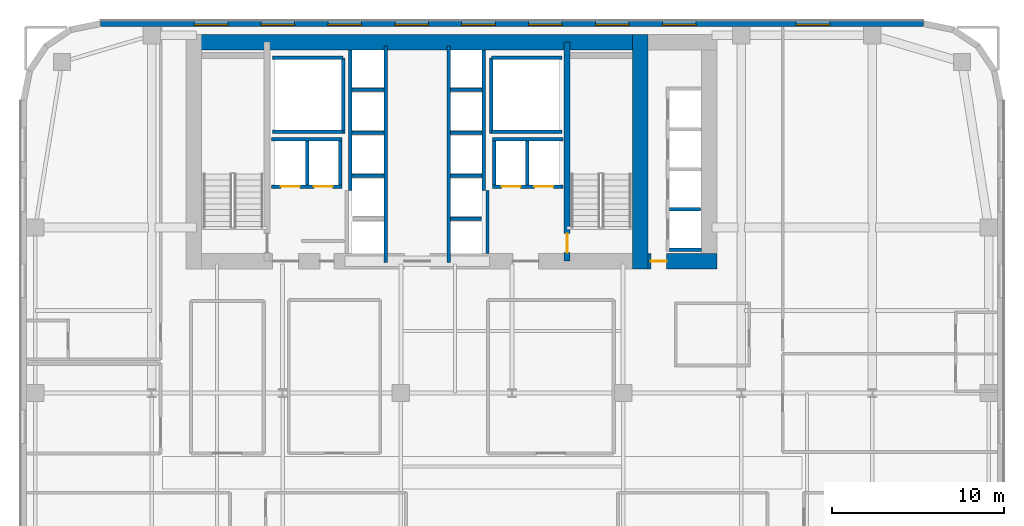
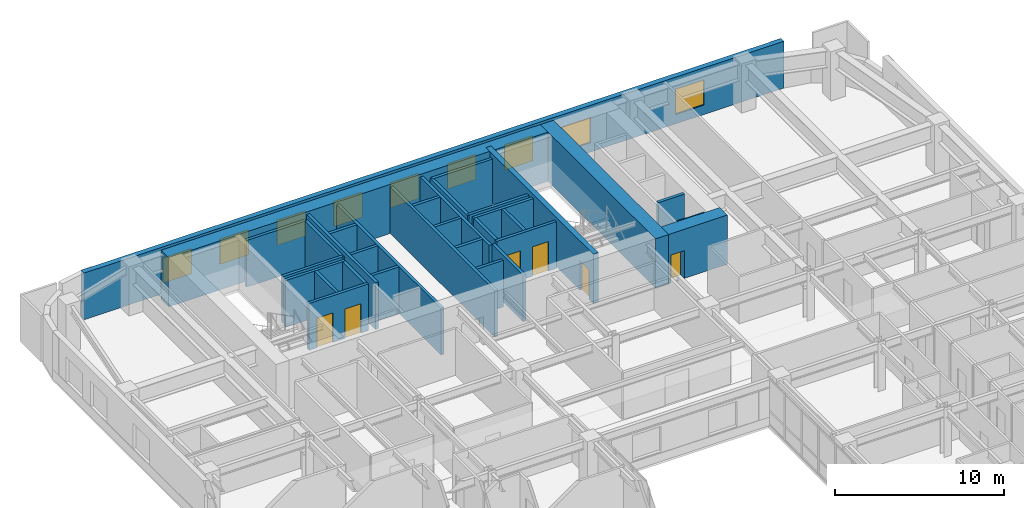
# One storey, part 18 of 24: 33 walls, 9 windows, 6 doors, 15 openings.
"""IFC4 building model written with IfcOpenShell, lengths in metres."""

from ifc_helpers import new_model, si_unit, direction, frame, frame_2d, origin, place, context, subcontext, project, spatial, rectangle, extrude, source, transform, mapped, material, layer, layer_set, type_object, type_shapes, element, fill, save


model = new_model("IFC4")

# Units and contexts
model_context = context("Model", 3, precision=1e-05, world=origin(), true_north=direction((0.0, 1.0)))
body_context = subcontext(model_context, "Body", "Model", "MODEL_VIEW")
ifc_project = project(units=[si_unit("LENGTHUNIT", "METRE"), si_unit("AREAUNIT", "SQUARE_METRE"), si_unit("VOLUMEUNIT", "CUBIC_METRE"), si_unit("PLANEANGLEUNIT", "RADIAN"), si_unit("MASSUNIT", "GRAM", prefix="KILO")], contexts=[model_context])

# Site, building, storey
site_placement = place(None, origin())
site = spatial("IfcSite", under=ifc_project, at=site_placement, CompositionType="ELEMENT")
building_placement = place(site_placement, origin())
building = spatial("IfcBuilding", under=site, at=building_placement, Name="Tolvann Quenvar Hotel", CompositionType="ELEMENT")
storey_placement = place(building_placement, frame((0.0, 0.0, 67.5)))
storey = spatial("IfcBuildingStorey", under=building, at=storey_placement, Name="L16", CompositionType="ELEMENT", Elevation=67.5)

# Walls
ifc_material_1 = material(Name="Concrete S80 (80 MPa)", Category="concrete")
ifc_layer_1 = layer(ifc_material_1, 0.89990234375)
ifc_layer_set_1 = layer_set([ifc_layer_1], Name="Concrete S80 (80 MPa)")
wall_type_1 = type_object("IfcWallType", Name="WALL_CORE_900", PredefinedType="SHEAR", material=ifc_layer_set_1)
wall_1_placement = place(storey_placement, frame((9.60009765625, 44.75, 0.0), z_axis=(0.0, 0.0, 1.0), x_axis=(1.0, 0.0, 0.0)))
element("IfcWall", 1, at=wall_1_placement, inside=storey, type_object=wall_type_1, Name="Rear Core N Shear Wall (L16)", PredefinedType="SHEAR", context=body_context, shape_type="SweptSolid", body=[
    extrude(rectangle(XDim=26.7998046875, YDim=0.89990234375, at=frame_2d((13.39990234375, 0.0))), origin(), (0.0, 0.0, 1.0), 3.550048828125),
])
wall_2_placement = place(storey_placement, frame((35.949951171875, 31.60009765625, 0.0), z_axis=(0.0, 0.0, 1.0), x_axis=(0.0, 1.0, 0.0)))
element("IfcWall", 2, at=wall_2_placement, inside=storey, type_object=wall_type_1, Name="Rear Core E Shear Wall (L16)", PredefinedType="SHEAR", context=body_context, shape_type="SweptSolid", body=[
    extrude(rectangle(XDim=13.599853515625, YDim=0.89990234375, at=frame_2d((6.7998046875, 0.0))), origin(), (0.0, 0.0, 1.0), 3.550048828125),
])

# Wall, opening, door
wall_3_placement = place(storey_placement, frame((36.39990234375, 32.050048828125, 0.0), z_axis=(0.0, 0.0, 1.0), x_axis=(1.0, 0.0, 0.0)))
wall_3 = element("IfcWall", 3, at=wall_3_placement, inside=storey, type_object=wall_type_1, Name="Core East Annex Shear Wall ANN-S (L16)", PredefinedType="SHEAR", context=body_context, shape_type="SweptSolid", body=[
    extrude(rectangle(XDim=4.0, YDim=0.89990234375, at=frame_2d((2.0, 0.0))), origin(), (0.0, 0.0, 1.0), 3.550048828125),
])
opening_1_placement = place(wall_3_placement, frame((1.06982421875, 0.0, 0.0), z_axis=(0.0, 0.0, 1.0), x_axis=(-1.0, 0.0, 0.0)))
opening_1 = element("IfcOpeningElement", 4, at=opening_1_placement, cuts=wall_3, Name="Opening WD-01", PredefinedType="OPENING", context=body_context, shape_type="SweptSolid", body=[
    extrude(rectangle(XDim=0.919921875, YDim=2.010009765625, at=frame_2d((0.4599609375, 1.0048828125))), frame((0.0, 0.4599609375, 0.0), z_axis=(0.0, -1.0, 0.0), x_axis=(1.0, 0.0, 0.0)), (0.0, 0.0, 1.0), 0.919921875),
])
ifc_material_2 = material(Name="Solid-core American oak acoustic fire door leaf in steel frame", Category="steel")
door_type_1 = type_object("IfcDoorType", Name="DOOR_WC_920", OperationType="NOTDEFINED", PredefinedType="DOOR", material=ifc_material_2)
shared_shape_1 = source(origin(), body_context, "Body", "SweptSolid", [
    extrude(rectangle(XDim=0.919921875, YDim=2.010009765625, at=frame_2d((0.4599609375, 1.0048828125))), frame((0.0, 0.02490234375, 0.0), z_axis=(0.0, -1.0, 0.0), x_axis=(1.0, 0.0, 0.0)), (0.0, 0.0, 1.0), 0.050048828125),
])
type_shapes(door_type_1, [shared_shape_1])
door_1_placement = place(opening_1_placement, origin())
door_1 = element("IfcDoor", 5, at=door_1_placement, inside=storey, type_object=door_type_1, Name="Low-Rise Lift Lobby Fire Door (L16)", OperationType="SINGLE_SWING_RIGHT", OverallHeight=2.010009765625, OverallWidth=0.919921875, PredefinedType="DOOR", context=body_context, shape_type="MappedRepresentation", body=[
    mapped(shared_shape_1, transform((0.0, 0.0, 0.0), x_axis=(1.0, 0.0, 0.0), y_axis=(0.0, 1.0, 0.0), z_axis=(0.0, 0.0, 1.0), scale=1.0)),
])
fill(opening_1, door_1)

ifc_material_3 = material(Name="Concrete S65 (65 MPa)", Category="concrete")
ifc_layer_2 = layer(ifc_material_3, 0.35009765625)
ifc_layer_set_2 = layer_set([ifc_layer_2], Name="Concrete S65 (65 MPa)")
wall_type_2 = type_object("IfcWallType", Name="WALL_CORE_INT_350", PredefinedType="SHEAR", material=ifc_layer_set_2)
wall_4_placement = place(storey_placement, frame((31.699951171875, 32.050048828125, 0.0), z_axis=(0.0, 0.0, 1.0), x_axis=(0.0, 1.0, 0.0)))
wall_4 = element("IfcWall", 6, at=wall_4_placement, inside=storey, type_object=wall_type_2, Name="Core Internal Web Shear Wall WEB-E (L16)", PredefinedType="SHEAR", context=body_context, shape_type="SweptSolid", body=[
    extrude(rectangle(XDim=12.699951171875, YDim=0.35009765625, at=frame_2d((6.35009765625, 0.0))), origin(), (0.0, 0.0, 1.0), 3.550048828125),
])
opening_2_placement = place(wall_4_placement, frame((1.60009765625, 0.0, 0.0), z_axis=(0.0, 0.0, 1.0), x_axis=(-1.0, 0.0, 0.0)))
opening_2 = element("IfcOpeningElement", 7, at=opening_2_placement, cuts=wall_4, Name="Opening FD-120", PredefinedType="OPENING", context=body_context, shape_type="SweptSolid", body=[
    extrude(rectangle(XDim=1.10009765625, YDim=2.1201171875, at=frame_2d((0.550048828125, 1.06005859375))), frame((0.0, 0.18505859375, 0.0), z_axis=(0.0, -1.0, 0.0), x_axis=(1.0, 0.0, 0.0)), (0.0, 0.0, 1.0), 0.3701171875),
])
ifc_material_4 = material(Name="Pressed galvanised steel fire-rated door set", Category="steel")
door_type_2 = type_object("IfcDoorType", Name="DOOR_FIRE_STAIR_1100", OperationType="NOTDEFINED", PredefinedType="DOOR", material=ifc_material_4)
shared_shape_2 = source(origin(), body_context, "Body", "SweptSolid", [
    extrude(rectangle(XDim=1.10009765625, YDim=2.1201171875, at=frame_2d((0.550048828125, 1.06005859375))), frame((0.0, 0.02490234375, 0.0), z_axis=(0.0, -1.0, 0.0), x_axis=(1.0, 0.0, 0.0)), (0.0, 0.0, 1.0), 0.050048828125),
])
type_shapes(door_type_2, [shared_shape_2])
door_2_placement = place(opening_2_placement, origin())
door_2 = element("IfcDoor", 8, at=door_2_placement, inside=storey, type_object=door_type_2, Name="Exit Stair ST-C2 Fire Door (L16)", OperationType="SINGLE_SWING_LEFT", OverallHeight=2.1201171875, OverallWidth=1.10009765625, PredefinedType="DOOR", context=body_context, shape_type="MappedRepresentation", body=[
    mapped(shared_shape_2, transform((0.0, 0.0, 0.0), x_axis=(1.0, 0.0, 0.0), y_axis=(0.0, 1.0, 0.0), z_axis=(0.0, 0.0, 1.0), scale=1.0)),
])
fill(opening_2, door_2)

# Wall, openings, windows
ifc_material_5 = material(Name="Kiln-fired red and buff architectural clay brickwork and terracotta masonry", Category="masonry")
ifc_layer_3 = layer(ifc_material_5, 0.35009765625)
ifc_layer_set_3 = layer_set([ifc_layer_3], Name="Kiln-fired red and buff architectural clay brickwork and terracotta masonry")
wall_type_3 = type_object("IfcWallType", Name="WALL_EXT_BRICK_350", PredefinedType="SOLIDWALL", material=ifc_layer_set_3)
wall_5_placement = place(storey_placement, frame((52.3828125, 45.824951171875, 0.0), z_axis=(0.0, 0.0, 1.0), x_axis=(-1.0, 0.0, 0.0)))
wall_5 = element("IfcWall", 9, at=wall_5_placement, inside=storey, type_object=wall_type_3, Name="Exterior Chicago Brick Wall L16-E18", PredefinedType="SOLIDWALL", context=body_context, shape_type="SweptSolid", body=[
    extrude(rectangle(XDim=47.765625, YDim=0.35009765625, at=frame_2d((23.8828125, 0.0))), origin(), (0.0, 0.0, 1.0), 3.3701171875),
])
opening_3_placement = place(wall_5_placement, frame((5.446044921875, 0.0, 0.679931640625)))
opening_3 = element("IfcOpeningElement", 10, at=opening_3_placement, cuts=wall_5, Name="Opening W-10", PredefinedType="OPENING", context=body_context, shape_type="SweptSolid", body=[
    extrude(rectangle(XDim=1.949951171875, YDim=1.820068359375, at=frame_2d((0.97509765625, 0.91015625))), frame((0.0, 0.18505859375, 0.0), z_axis=(0.0, -1.0, 0.0), x_axis=(1.0, 0.0, 0.0)), (0.0, 0.0, 1.0), 0.3701171875),
])
opening_4_placement = place(wall_5_placement, frame((13.20703125, 0.0, 0.679931640625)))
opening_4 = element("IfcOpeningElement", 11, at=opening_4_placement, cuts=wall_5, Name="Opening W-10", PredefinedType="OPENING", context=body_context, shape_type="SweptSolid", body=[
    extrude(rectangle(XDim=1.949951171875, YDim=1.820068359375, at=frame_2d((0.97509765625, 0.91015625))), frame((0.0, 0.18505859375, 0.0), z_axis=(0.0, -1.0, 0.0), x_axis=(1.0, 0.0, 0.0)), (0.0, 0.0, 1.0), 0.3701171875),
])
opening_5_placement = place(wall_5_placement, frame((17.0869140625, 0.0, 0.679931640625)))
opening_5 = element("IfcOpeningElement", 12, at=opening_5_placement, cuts=wall_5, Name="Opening W-10", PredefinedType="OPENING", context=body_context, shape_type="SweptSolid", body=[
    extrude(rectangle(XDim=1.949951171875, YDim=1.820068359375, at=frame_2d((0.97509765625, 0.91015625))), frame((0.0, 0.18505859375, 0.0), z_axis=(0.0, -1.0, 0.0), x_axis=(1.0, 0.0, 0.0)), (0.0, 0.0, 1.0), 0.3701171875),
])
opening_6_placement = place(wall_5_placement, frame((20.968017578125, 0.0, 0.679931640625)))
opening_6 = element("IfcOpeningElement", 13, at=opening_6_placement, cuts=wall_5, Name="Opening W-10", PredefinedType="OPENING", context=body_context, shape_type="SweptSolid", body=[
    extrude(rectangle(XDim=1.949951171875, YDim=1.820068359375, at=frame_2d((0.97509765625, 0.91015625))), frame((0.0, 0.18505859375, 0.0), z_axis=(0.0, -1.0, 0.0), x_axis=(1.0, 0.0, 0.0)), (0.0, 0.0, 1.0), 0.3701171875),
])
opening_7_placement = place(wall_5_placement, frame((24.847900390625, 0.0, 0.679931640625)))
opening_7 = element("IfcOpeningElement", 14, at=opening_7_placement, cuts=wall_5, Name="Opening W-10", PredefinedType="OPENING", context=body_context, shape_type="SweptSolid", body=[
    extrude(rectangle(XDim=1.949951171875, YDim=1.820068359375, at=frame_2d((0.97509765625, 0.91015625))), frame((0.0, 0.18505859375, 0.0), z_axis=(0.0, -1.0, 0.0), x_axis=(1.0, 0.0, 0.0)), (0.0, 0.0, 1.0), 0.3701171875),
])
opening_8_placement = place(wall_5_placement, frame((28.72900390625, 0.0, 0.679931640625)))
opening_8 = element("IfcOpeningElement", 15, at=opening_8_placement, cuts=wall_5, Name="Opening W-10", PredefinedType="OPENING", context=body_context, shape_type="SweptSolid", body=[
    extrude(rectangle(XDim=1.949951171875, YDim=1.820068359375, at=frame_2d((0.97509765625, 0.91015625))), frame((0.0, 0.18505859375, 0.0), z_axis=(0.0, -1.0, 0.0), x_axis=(1.0, 0.0, 0.0)), (0.0, 0.0, 1.0), 0.3701171875),
])
opening_9_placement = place(wall_5_placement, frame((32.60888671875, 0.0, 0.679931640625)))
opening_9 = element("IfcOpeningElement", 16, at=opening_9_placement, cuts=wall_5, Name="Opening W-10", PredefinedType="OPENING", context=body_context, shape_type="SweptSolid", body=[
    extrude(rectangle(XDim=1.949951171875, YDim=1.820068359375, at=frame_2d((0.97509765625, 0.91015625))), frame((0.0, 0.18505859375, 0.0), z_axis=(0.0, -1.0, 0.0), x_axis=(1.0, 0.0, 0.0)), (0.0, 0.0, 1.0), 0.3701171875),
])
opening_10_placement = place(wall_5_placement, frame((36.489013671875, 0.0, 0.679931640625)))
opening_10 = element("IfcOpeningElement", 17, at=opening_10_placement, cuts=wall_5, Name="Opening W-10", PredefinedType="OPENING", context=body_context, shape_type="SweptSolid", body=[
    extrude(rectangle(XDim=1.949951171875, YDim=1.820068359375, at=frame_2d((0.97509765625, 0.91015625))), frame((0.0, 0.18505859375, 0.0), z_axis=(0.0, -1.0, 0.0), x_axis=(1.0, 0.0, 0.0)), (0.0, 0.0, 1.0), 0.3701171875),
])
opening_11_placement = place(wall_5_placement, frame((40.3701171875, 0.0, 0.679931640625)))
opening_11 = element("IfcOpeningElement", 18, at=opening_11_placement, cuts=wall_5, Name="Opening W-10", PredefinedType="OPENING", context=body_context, shape_type="SweptSolid", body=[
    extrude(rectangle(XDim=1.949951171875, YDim=1.820068359375, at=frame_2d((0.97509765625, 0.91015625))), frame((0.0, 0.18505859375, 0.0), z_axis=(0.0, -1.0, 0.0), x_axis=(1.0, 0.0, 0.0)), (0.0, 0.0, 1.0), 0.3701171875),
])
ifc_material_6 = material(Name="Thermally broken bronze-anodised aluminium frame with double low-E glazing", Category="aluminium")
window_type = type_object("IfcWindowType", Name="WIN_CLB_1950x1850", PartitioningType="DOUBLE_PANEL_VERTICAL", PredefinedType="WINDOW", material=ifc_material_6)
shared_shape_3 = source(origin(), body_context, "Body", "SweptSolid", [
    extrude(rectangle(XDim=1.949951171875, YDim=1.820068359375, at=frame_2d((0.97509765625, 0.91015625))), frame((0.0, 0.090087890625, 0.0), z_axis=(0.0, -1.0, 0.0), x_axis=(1.0, 0.0, 0.0)), (0.0, 0.0, 1.0), 0.06005859375),
])
type_shapes(window_type, [shared_shape_3])
window_1_placement = place(opening_3_placement, origin())
window_1 = element("IfcWindow", 19, at=window_1_placement, inside=storey, type_object=window_type, Name="Chicago Window W-10 (EW-L16-E18-W01)", OverallHeight=1.820068359375, OverallWidth=1.949951171875, PartitioningType="DOUBLE_PANEL_VERTICAL", PredefinedType="WINDOW", context=body_context, shape_type="MappedRepresentation", body=[
    mapped(shared_shape_3, transform((0.0, 0.0, 0.0), x_axis=(1.0, 0.0, 0.0), y_axis=(0.0, 1.0, 0.0), z_axis=(0.0, 0.0, 1.0), scale=1.0)),
])
fill(opening_3, window_1)
window_2_placement = place(opening_4_placement, origin())
window_2 = element("IfcWindow", 20, at=window_2_placement, inside=storey, type_object=window_type, Name="Chicago Window W-10 (EW-L16-E18-W02)", OverallHeight=1.820068359375, OverallWidth=1.949951171875, PartitioningType="DOUBLE_PANEL_VERTICAL", PredefinedType="WINDOW", context=body_context, shape_type="MappedRepresentation", body=[
    mapped(shared_shape_3, transform((0.0, 0.0, 0.0), x_axis=(1.0, 0.0, 0.0), y_axis=(0.0, 1.0, 0.0), z_axis=(0.0, 0.0, 1.0), scale=1.0)),
])
fill(opening_4, window_2)
window_3_placement = place(opening_5_placement, origin())
window_3 = element("IfcWindow", 21, at=window_3_placement, inside=storey, type_object=window_type, Name="Chicago Window W-10 (EW-L16-E18-W03)", OverallHeight=1.820068359375, OverallWidth=1.949951171875, PartitioningType="DOUBLE_PANEL_VERTICAL", PredefinedType="WINDOW", context=body_context, shape_type="MappedRepresentation", body=[
    mapped(shared_shape_3, transform((0.0, 0.0, 0.0), x_axis=(1.0, 0.0, 0.0), y_axis=(0.0, 1.0, 0.0), z_axis=(0.0, 0.0, 1.0), scale=1.0)),
])
fill(opening_5, window_3)
window_4_placement = place(opening_6_placement, origin())
window_4 = element("IfcWindow", 22, at=window_4_placement, inside=storey, type_object=window_type, Name="Chicago Window W-10 (EW-L16-E18-W04)", OverallHeight=1.820068359375, OverallWidth=1.949951171875, PartitioningType="DOUBLE_PANEL_VERTICAL", PredefinedType="WINDOW", context=body_context, shape_type="MappedRepresentation", body=[
    mapped(shared_shape_3, transform((0.0, 0.0, 0.0), x_axis=(1.0, 0.0, 0.0), y_axis=(0.0, 1.0, 0.0), z_axis=(0.0, 0.0, 1.0), scale=1.0)),
])
fill(opening_6, window_4)
window_5_placement = place(opening_7_placement, origin())
window_5 = element("IfcWindow", 23, at=window_5_placement, inside=storey, type_object=window_type, Name="Chicago Window W-10 (EW-L16-E18-W05)", OverallHeight=1.820068359375, OverallWidth=1.949951171875, PartitioningType="DOUBLE_PANEL_VERTICAL", PredefinedType="WINDOW", context=body_context, shape_type="MappedRepresentation", body=[
    mapped(shared_shape_3, transform((0.0, 0.0, 0.0), x_axis=(1.0, 0.0, 0.0), y_axis=(0.0, 1.0, 0.0), z_axis=(0.0, 0.0, 1.0), scale=1.0)),
])
fill(opening_7, window_5)
window_6_placement = place(opening_8_placement, origin())
window_6 = element("IfcWindow", 24, at=window_6_placement, inside=storey, type_object=window_type, Name="Chicago Window W-10 (EW-L16-E18-W06)", OverallHeight=1.820068359375, OverallWidth=1.949951171875, PartitioningType="DOUBLE_PANEL_VERTICAL", PredefinedType="WINDOW", context=body_context, shape_type="MappedRepresentation", body=[
    mapped(shared_shape_3, transform((0.0, 0.0, 0.0), x_axis=(1.0, 0.0, 0.0), y_axis=(0.0, 1.0, 0.0), z_axis=(0.0, 0.0, 1.0), scale=1.0)),
])
fill(opening_8, window_6)
window_7_placement = place(opening_9_placement, origin())
window_7 = element("IfcWindow", 25, at=window_7_placement, inside=storey, type_object=window_type, Name="Chicago Window W-10 (EW-L16-E18-W07)", OverallHeight=1.820068359375, OverallWidth=1.949951171875, PartitioningType="DOUBLE_PANEL_VERTICAL", PredefinedType="WINDOW", context=body_context, shape_type="MappedRepresentation", body=[
    mapped(shared_shape_3, transform((0.0, 0.0, 0.0), x_axis=(1.0, 0.0, 0.0), y_axis=(0.0, 1.0, 0.0), z_axis=(0.0, 0.0, 1.0), scale=1.0)),
])
fill(opening_9, window_7)
window_8_placement = place(opening_10_placement, origin())
window_8 = element("IfcWindow", 26, at=window_8_placement, inside=storey, type_object=window_type, Name="Chicago Window W-10 (EW-L16-E18-W08)", OverallHeight=1.820068359375, OverallWidth=1.949951171875, PartitioningType="DOUBLE_PANEL_VERTICAL", PredefinedType="WINDOW", context=body_context, shape_type="MappedRepresentation", body=[
    mapped(shared_shape_3, transform((0.0, 0.0, 0.0), x_axis=(1.0, 0.0, 0.0), y_axis=(0.0, 1.0, 0.0), z_axis=(0.0, 0.0, 1.0), scale=1.0)),
])
fill(opening_10, window_8)
window_9_placement = place(opening_11_placement, origin())
window_9 = element("IfcWindow", 27, at=window_9_placement, inside=storey, type_object=window_type, Name="Chicago Window W-10 (EW-L16-E18-W09)", OverallHeight=1.820068359375, OverallWidth=1.949951171875, PartitioningType="DOUBLE_PANEL_VERTICAL", PredefinedType="WINDOW", context=body_context, shape_type="MappedRepresentation", body=[
    mapped(shared_shape_3, transform((0.0, 0.0, 0.0), x_axis=(1.0, 0.0, 0.0), y_axis=(0.0, 1.0, 0.0), z_axis=(0.0, 0.0, 1.0), scale=1.0)),
])
fill(opening_11, window_9)

# Walls
ifc_material_7 = material(Name="Concrete N40 (40 MPa)", Category="concrete")
ifc_layer_4 = layer(ifc_material_7, 0.199951171875)
ifc_layer_set_4 = layer_set([ifc_layer_4], Name="Concrete N40 (40 MPa)")
wall_type_4 = type_object("IfcWallType", Name="WALL_SHAFT_200", PredefinedType="SOLIDWALL", material=ifc_layer_set_4)
wall_6_placement = place(storey_placement, frame((18.699951171875, 39.449951171875, 0.0), z_axis=(0.0, 0.0, 1.0), x_axis=(0.0, 1.0, 0.0)))
element("IfcWall", 28, at=wall_6_placement, inside=storey, type_object=wall_type_4, Name="Service Riser W Shaft Wall IN (L16)", PredefinedType="SOLIDWALL", context=body_context, shape_type="SweptSolid", body=[
    extrude(rectangle(XDim=4.400146484375, YDim=0.199951171875, at=frame_2d((2.2001953125, 0.0))), origin(), (0.0, 0.0, 1.0), 3.3701171875),
])
for number, where, z_axis, x_axis, name in (
    (29, (14.60009765625, 39.550048828125, 0.0), (0.0, 0.0, 1.0), (1.0, 0.0, 0.0), "Service Riser W Shaft Wall S (L16)"),
    (30, (14.60009765625, 43.85009765625, 0.0), (0.0, 0.0, 1.0), (1.0, 0.0, 0.0), "Service Riser W Shaft Wall N (L16)"),
):
    element("IfcWall", number, at=place(storey_placement, frame(where, z_axis=z_axis, x_axis=x_axis)), inside=storey, type_object=wall_type_4, Name=name, PredefinedType="SOLIDWALL", context=body_context, shape_type="SweptSolid", body=[
        extrude(rectangle(XDim=4.099853515625, YDim=0.199951171875, at=frame_2d((2.0498046875, 0.0))), origin(), (0.0, 0.0, 1.0), 3.3701171875),
    ])
wall_7_placement = place(storey_placement, frame((27.300048828125, 39.449951171875, 0.0), z_axis=(0.0, 0.0, 1.0), x_axis=(0.0, 1.0, 0.0)))
element("IfcWall", 31, at=wall_7_placement, inside=storey, type_object=wall_type_4, Name="Service Riser E Shaft Wall IN (L16)", PredefinedType="SOLIDWALL", context=body_context, shape_type="SweptSolid", body=[
    extrude(rectangle(XDim=4.400146484375, YDim=0.199951171875, at=frame_2d((2.2001953125, 0.0))), origin(), (0.0, 0.0, 1.0), 3.3701171875),
])
for number, where, z_axis, x_axis, name in (
    (32, (27.300048828125, 39.550048828125, 0.0), (0.0, 0.0, 1.0), (1.0, 0.0, 0.0), "Service Riser E Shaft Wall S (L16)"),
    (33, (27.300048828125, 43.85009765625, 0.0), (0.0, 0.0, 1.0), (1.0, 0.0, 0.0), "Service Riser E Shaft Wall N (L16)"),
):
    element("IfcWall", number, at=place(storey_placement, frame(where, z_axis=z_axis, x_axis=x_axis)), inside=storey, type_object=wall_type_4, Name=name, PredefinedType="SOLIDWALL", context=body_context, shape_type="SweptSolid", body=[
        extrude(rectangle(XDim=4.099853515625, YDim=0.199951171875, at=frame_2d((2.0498046875, 0.0))), origin(), (0.0, 0.0, 1.0), 3.3701171875),
    ])
wall_8_placement = place(storey_placement, frame((27.080078125, 32.50390625, 0.0), z_axis=(0.0, 0.0, 1.0), x_axis=(0.0, 1.0, 0.0)))
element("IfcWall", 34, at=wall_8_placement, inside=storey, type_object=wall_type_4, Name="Firefighting Lobby E Inner Fire Wall (L16)", PredefinedType="SOLIDWALL", context=body_context, shape_type="SweptSolid", body=[
    extrude(rectangle(XDim=3.64599609375, YDim=0.199951171875, at=frame_2d((1.822998046875, 0.0))), origin(), (0.0, 0.0, 1.0), 3.3701171875),
])
wall_9_placement = place(storey_placement, frame((21.169921875, 31.9599609375, 0.0), z_axis=(0.0, 0.0, 1.0), x_axis=(0.0, 1.0, 0.0)))
element("IfcWall", 35, at=wall_9_placement, inside=storey, type_object=wall_type_4, Name="Lift Bank E21.1C1 Hoistway Front Wall (L16)", PredefinedType="SOLIDWALL", context=body_context, shape_type="SweptSolid", body=[
    extrude(rectangle(XDim=12.580078125, YDim=0.199951171875, at=frame_2d((6.2900390625, 0.0))), origin(), (0.0, 0.0, 1.0), 3.3701171875),
])
wall_10_placement = place(storey_placement, frame((19.1298828125, 36.159912109375, 0.0), z_axis=(0.0, 0.0, 1.0), x_axis=(0.0, 1.0, 0.0)))
element("IfcWall", 36, at=wall_10_placement, inside=storey, type_object=wall_type_4, Name="Lift Bank E21.1C1 Hoistway Rear Wall (L16)", PredefinedType="SOLIDWALL", context=body_context, shape_type="SweptSolid", body=[
    extrude(rectangle(XDim=8.135986328125, YDim=0.199951171875, at=frame_2d((4.06787109375, 0.0))), origin(), (0.0, 0.0, 1.0), 3.3701171875),
])
for number, where, z_axis, x_axis, name in (
    (37, (19.22998046875, 37.0, 0.0), (0.0, 0.0, 1.0), (1.0, 0.0, 0.0), "Lift Bank E21.1C1 Divider Wall 2 (L16)"),
    (38, (19.22998046875, 39.5, 0.0), (0.0, 0.0, 1.0), (1.0, 0.0, 0.0), "Lift Bank E21.1C1 Divider Wall 3 (L16)"),
    (39, (19.22998046875, 42.0, 0.0), (0.0, 0.0, 1.0), (1.0, 0.0, 0.0), "Lift Bank E21.1C1 Divider Wall 4 (L16)"),
):
    element("IfcWall", number, at=place(storey_placement, frame(where, z_axis=z_axis, x_axis=x_axis)), inside=storey, type_object=wall_type_4, Name=name, PredefinedType="SOLIDWALL", context=body_context, shape_type="SweptSolid", body=[
        extrude(rectangle(XDim=1.840087890625, YDim=0.199951171875, at=frame_2d((0.919921875, 0.0))), origin(), (0.0, 0.0, 1.0), 3.3701171875),
    ])

# Wall, openings, doors
wall_11_placement = place(storey_placement, frame((27.375, 36.3798828125, 0.0), z_axis=(0.0, 0.0, 1.0), x_axis=(1.0, 0.0, 0.0)))
wall_11 = element("IfcWall", 40, at=wall_11_placement, inside=storey, type_object=wall_type_4, Name="Lift Bank SEC1 Hoistway Front Wall (L16)", PredefinedType="SOLIDWALL", context=body_context, shape_type="SweptSolid", body=[
    extrude(rectangle(XDim=4.074951171875, YDim=0.199951171875, at=frame_2d((2.03759765625, 0.0))), origin(), (0.0, 0.0, 1.0), 3.3701171875),
])
opening_12_placement = place(wall_11_placement, frame((0.52490234375, 0.0, 0.0)))
opening_12 = element("IfcOpeningElement", 41, at=opening_12_placement, cuts=wall_11, Name="Opening LD-01", PredefinedType="OPENING", context=body_context, shape_type="SweptSolid", body=[
    extrude(rectangle(XDim=1.10009765625, YDim=2.1201171875, at=frame_2d((0.550048828125, 1.06005859375))), frame((0.0, 0.10986328125, 0.0), z_axis=(0.0, -1.0, 0.0), x_axis=(1.0, 0.0, 0.0)), (0.0, 0.0, 1.0), 0.219970703125),
])
opening_13_placement = place(wall_11_placement, frame((2.425048828125, 0.0, 0.0)))
opening_13 = element("IfcOpeningElement", 42, at=opening_13_placement, cuts=wall_11, Name="Opening LD-01", PredefinedType="OPENING", context=body_context, shape_type="SweptSolid", body=[
    extrude(rectangle(XDim=1.10009765625, YDim=2.1201171875, at=frame_2d((0.550048828125, 1.06005859375))), frame((0.0, 0.10986328125, 0.0), z_axis=(0.0, -1.0, 0.0), x_axis=(1.0, 0.0, 0.0)), (0.0, 0.0, 1.0), 0.219970703125),
])
ifc_material_8 = material(Name="Brushed 316 stainless steel automatic sliding lift landing door", Category="steel")
door_type_3 = type_object("IfcDoorType", Name="DOOR_LIFT_SLIDE_1100", OperationType="NOTDEFINED", PredefinedType="DOOR", material=ifc_material_8)
shared_shape_4 = source(origin(), body_context, "Body", "SweptSolid", [
    extrude(rectangle(XDim=1.10009765625, YDim=2.1201171875, at=frame_2d((0.550048828125, 1.06005859375))), frame((0.0, 0.02490234375, 0.0), z_axis=(0.0, -1.0, 0.0), x_axis=(1.0, 0.0, 0.0)), (0.0, 0.0, 1.0), 0.050048828125),
])
type_shapes(door_type_3, [shared_shape_4])
door_3_placement = place(opening_12_placement, origin())
door_3 = element("IfcDoor", 43, at=door_3_placement, inside=storey, type_object=door_type_3, Name="Lift SV-2 Sliding Landing Door (L16)", OperationType="SLIDING_TO_LEFT", OverallHeight=2.1201171875, OverallWidth=1.10009765625, PredefinedType="DOOR", context=body_context, shape_type="MappedRepresentation", body=[
    mapped(shared_shape_4, transform((0.0, 0.0, 0.0), x_axis=(1.0, 0.0, 0.0), y_axis=(0.0, 1.0, 0.0), z_axis=(0.0, 0.0, 1.0), scale=1.0)),
])
fill(opening_12, door_3)
door_4_placement = place(opening_13_placement, origin())
door_4 = element("IfcDoor", 44, at=door_4_placement, inside=storey, type_object=door_type_3, Name="Lift FF-2 Sliding Landing Door (L16)", OperationType="SLIDING_TO_RIGHT", OverallHeight=2.1201171875, OverallWidth=1.10009765625, PredefinedType="DOOR", context=body_context, shape_type="MappedRepresentation", body=[
    mapped(shared_shape_4, transform((0.0, 0.0, 0.0), x_axis=(1.0, 0.0, 0.0), y_axis=(0.0, 1.0, 0.0), z_axis=(0.0, 0.0, 1.0), scale=1.0)),
])
fill(opening_13, door_4)

# Walls
wall_12_placement = place(storey_placement, frame((27.375, 39.1201171875, 0.0), z_axis=(0.0, 0.0, 1.0), x_axis=(1.0, 0.0, 0.0)))
element("IfcWall", 45, at=wall_12_placement, inside=storey, type_object=wall_type_4, Name="Lift Bank SEC1 Hoistway Rear Wall (L16)", PredefinedType="SOLIDWALL", context=body_context, shape_type="SweptSolid", body=[
    extrude(rectangle(XDim=4.074951171875, YDim=0.199951171875, at=frame_2d((2.03759765625, 0.0))), origin(), (0.0, 0.0, 1.0), 3.3701171875),
])
for number, where, z_axis, x_axis, name in (
    (46, (27.47509765625, 36.47998046875, 0.0), (0.0, 0.0, 1.0), (0.0, 1.0, 0.0), "Lift Bank SEC1 Hoistway Cheek Wall 1 (L16)"),
    (47, (29.387451171875, 36.47998046875, 0.0), (0.0, 0.0, 1.0), (0.0, 1.0, 0.0), "Lift Bank SEC1 Divider Wall 1 (L16)"),
):
    element("IfcWall", number, at=place(storey_placement, frame(where, z_axis=z_axis, x_axis=x_axis)), inside=storey, type_object=wall_type_4, Name=name, PredefinedType="SOLIDWALL", context=body_context, shape_type="SweptSolid", body=[
        extrude(rectangle(XDim=2.5400390625, YDim=0.199951171875, at=frame_2d((1.27001953125, 0.0))), origin(), (0.0, 0.0, 1.0), 3.3701171875),
    ])

# Wall, openings, doors
wall_13_placement = place(storey_placement, frame((14.550048828125, 36.3798828125, 0.0), z_axis=(0.0, 0.0, 1.0), x_axis=(1.0, 0.0, 0.0)))
wall_13 = element("IfcWall", 48, at=wall_13_placement, inside=storey, type_object=wall_type_4, Name="Lift Bank SWC1 Hoistway Front Wall (L16)", PredefinedType="SOLIDWALL", context=body_context, shape_type="SweptSolid", body=[
    extrude(rectangle(XDim=4.074951171875, YDim=0.199951171875, at=frame_2d((2.03759765625, 0.0))), origin(), (0.0, 0.0, 1.0), 3.3701171875),
])
opening_14_placement = place(wall_13_placement, frame((0.550048828125, 0.0, 0.0)))
opening_14 = element("IfcOpeningElement", 49, at=opening_14_placement, cuts=wall_13, Name="Opening LD-01", PredefinedType="OPENING", context=body_context, shape_type="SweptSolid", body=[
    extrude(rectangle(XDim=1.10009765625, YDim=2.1201171875, at=frame_2d((0.550048828125, 1.06005859375))), frame((0.0, 0.10986328125, 0.0), z_axis=(0.0, -1.0, 0.0), x_axis=(1.0, 0.0, 0.0)), (0.0, 0.0, 1.0), 0.219970703125),
])
opening_15_placement = place(wall_13_placement, frame((2.449951171875, 0.0, 0.0)))
opening_15 = element("IfcOpeningElement", 50, at=opening_15_placement, cuts=wall_13, Name="Opening LD-01", PredefinedType="OPENING", context=body_context, shape_type="SweptSolid", body=[
    extrude(rectangle(XDim=1.10009765625, YDim=2.1201171875, at=frame_2d((0.550048828125, 1.06005859375))), frame((0.0, 0.10986328125, 0.0), z_axis=(0.0, -1.0, 0.0), x_axis=(1.0, 0.0, 0.0)), (0.0, 0.0, 1.0), 0.219970703125),
])
door_5_placement = place(opening_14_placement, origin())
door_5 = element("IfcDoor", 51, at=door_5_placement, inside=storey, type_object=door_type_3, Name="Lift FF-1 Sliding Landing Door (L16)", OperationType="SLIDING_TO_LEFT", OverallHeight=2.1201171875, OverallWidth=1.10009765625, PredefinedType="DOOR", context=body_context, shape_type="MappedRepresentation", body=[
    mapped(shared_shape_4, transform((0.0, 0.0, 0.0), x_axis=(1.0, 0.0, 0.0), y_axis=(0.0, 1.0, 0.0), z_axis=(0.0, 0.0, 1.0), scale=1.0)),
])
fill(opening_14, door_5)
door_6_placement = place(opening_15_placement, origin())
door_6 = element("IfcDoor", 52, at=door_6_placement, inside=storey, type_object=door_type_3, Name="Lift SV-1 Sliding Landing Door (L16)", OperationType="SLIDING_TO_RIGHT", OverallHeight=2.1201171875, OverallWidth=1.10009765625, PredefinedType="DOOR", context=body_context, shape_type="MappedRepresentation", body=[
    mapped(shared_shape_4, transform((0.0, 0.0, 0.0), x_axis=(1.0, 0.0, 0.0), y_axis=(0.0, 1.0, 0.0), z_axis=(0.0, 0.0, 1.0), scale=1.0)),
])
fill(opening_15, door_6)

# Walls
wall_14_placement = place(storey_placement, frame((14.550048828125, 39.1201171875, 0.0), z_axis=(0.0, 0.0, 1.0), x_axis=(1.0, 0.0, 0.0)))
element("IfcWall", 53, at=wall_14_placement, inside=storey, type_object=wall_type_4, Name="Lift Bank SWC1 Hoistway Rear Wall (L16)", PredefinedType="SOLIDWALL", context=body_context, shape_type="SweptSolid", body=[
    extrude(rectangle(XDim=4.074951171875, YDim=0.199951171875, at=frame_2d((2.03759765625, 0.0))), origin(), (0.0, 0.0, 1.0), 3.3701171875),
])
for number, where, z_axis, x_axis, name in (
    (54, (18.52490234375, 36.47998046875, 0.0), (0.0, 0.0, 1.0), (0.0, 1.0, 0.0), "Lift Bank SWC1 Hoistway Cheek Wall 2 (L16)"),
    (55, (16.612548828125, 36.47998046875, 0.0), (0.0, 0.0, 1.0), (0.0, 1.0, 0.0), "Lift Bank SWC1 Divider Wall 1 (L16)"),
):
    element("IfcWall", number, at=place(storey_placement, frame(where, z_axis=z_axis, x_axis=x_axis)), inside=storey, type_object=wall_type_4, Name=name, PredefinedType="SOLIDWALL", context=body_context, shape_type="SweptSolid", body=[
        extrude(rectangle(XDim=2.5400390625, YDim=0.199951171875, at=frame_2d((1.27001953125, 0.0))), origin(), (0.0, 0.0, 1.0), 3.3701171875),
    ])
wall_15_placement = place(storey_placement, frame((24.830078125, 31.9599609375, 0.0), z_axis=(0.0, 0.0, 1.0), x_axis=(0.0, 1.0, 0.0)))
element("IfcWall", 56, at=wall_15_placement, inside=storey, type_object=wall_type_4, Name="Lift Bank W24.9C1 Hoistway Front Wall (L16)", PredefinedType="SOLIDWALL", context=body_context, shape_type="SweptSolid", body=[
    extrude(rectangle(XDim=12.580078125, YDim=0.199951171875, at=frame_2d((6.2900390625, 0.0))), origin(), (0.0, 0.0, 1.0), 3.3701171875),
])
wall_16_placement = place(storey_placement, frame((26.8701171875, 36.159912109375, 0.0), z_axis=(0.0, 0.0, 1.0), x_axis=(0.0, 1.0, 0.0)))
element("IfcWall", 57, at=wall_16_placement, inside=storey, type_object=wall_type_4, Name="Lift Bank W24.9C1 Hoistway Rear Wall (L16)", PredefinedType="SOLIDWALL", context=body_context, shape_type="SweptSolid", body=[
    extrude(rectangle(XDim=8.135986328125, YDim=0.199951171875, at=frame_2d((4.06787109375, 0.0))), origin(), (0.0, 0.0, 1.0), 3.3701171875),
])
wall_17_placement = place(storey_placement, frame((24.929931640625, 34.5, 0.0), z_axis=(0.0, 0.0, 1.0), x_axis=(1.0, 0.0, 0.0)))
element("IfcWall", 58, at=wall_17_placement, inside=storey, type_object=wall_type_4, Name="Lift Bank W24.9C1 Divider Wall 1 (L16)", PredefinedType="SOLIDWALL", context=body_context, shape_type="SweptSolid", body=[
    extrude(rectangle(XDim=1.800048828125, YDim=0.199951171875, at=frame_2d((0.89990234375, 0.0))), origin(), (0.0, 0.0, 1.0), 3.3701171875),
])
for number, where, z_axis, x_axis, name in (
    (59, (24.929931640625, 37.0, 0.0), (0.0, 0.0, 1.0), (1.0, 0.0, 0.0), "Lift Bank W24.9C1 Divider Wall 2 (L16)"),
    (60, (24.929931640625, 39.5, 0.0), (0.0, 0.0, 1.0), (1.0, 0.0, 0.0), "Lift Bank W24.9C1 Divider Wall 3 (L16)"),
    (61, (24.929931640625, 42.0, 0.0), (0.0, 0.0, 1.0), (1.0, 0.0, 0.0), "Lift Bank W24.9C1 Divider Wall 4 (L16)"),
):
    element("IfcWall", number, at=place(storey_placement, frame(where, z_axis=z_axis, x_axis=x_axis)), inside=storey, type_object=wall_type_4, Name=name, PredefinedType="SOLIDWALL", context=body_context, shape_type="SweptSolid", body=[
        extrude(rectangle(XDim=1.840087890625, YDim=0.199951171875, at=frame_2d((0.919921875, 0.0))), origin(), (0.0, 0.0, 1.0), 3.3701171875),
    ])
wall_18_placement = place(storey_placement, frame((37.6298828125, 32.7099609375, 0.0), z_axis=(0.0, 0.0, 1.0), x_axis=(1.0, 0.0, 0.0)))
element("IfcWall", 62, at=wall_18_placement, inside=storey, type_object=wall_type_4, Name="Lift Bank W37.6C1 Hoistway Cheek Wall 1 (L16)", PredefinedType="SOLIDWALL", context=body_context, shape_type="SweptSolid", body=[
    extrude(rectangle(XDim=1.8701171875, YDim=0.199951171875, at=frame_2d((0.93505859375, 0.0))), origin(), (0.0, 0.0, 1.0), 3.3701171875),
])
wall_19_placement = place(storey_placement, frame((37.6298828125, 35.06005859375, 0.0), z_axis=(0.0, 0.0, 1.0), x_axis=(1.0, 0.0, 0.0)))
element("IfcWall", 63, at=wall_19_placement, inside=storey, type_object=wall_type_4, Name="Lift Bank W37.6C1 Divider Wall 1 (L16)", PredefinedType="SOLIDWALL", context=body_context, shape_type="SweptSolid", body=[
    extrude(rectangle(XDim=1.800048828125, YDim=0.199951171875, at=frame_2d((0.89990234375, 0.0))), origin(), (0.0, 0.0, 1.0), 3.3701171875),
])

save(model, "model.ifc")
